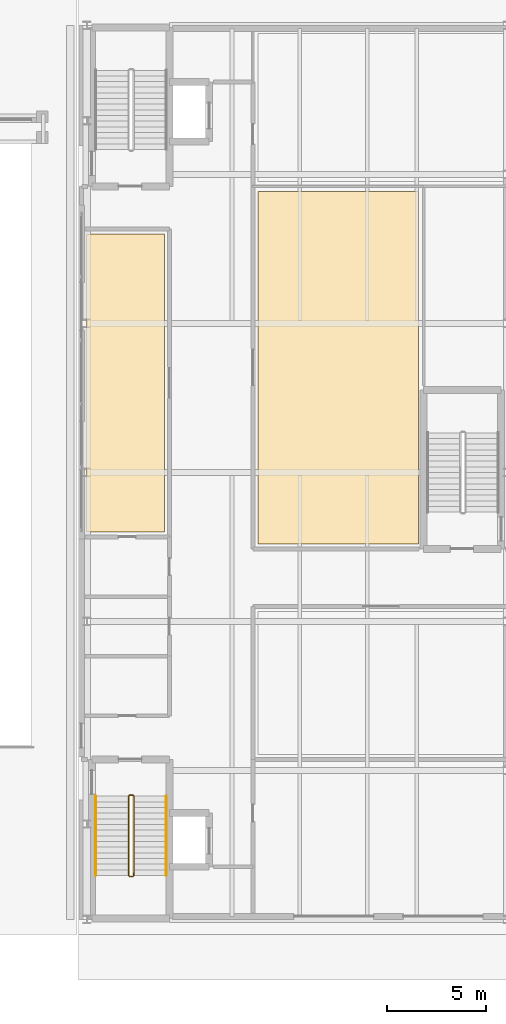
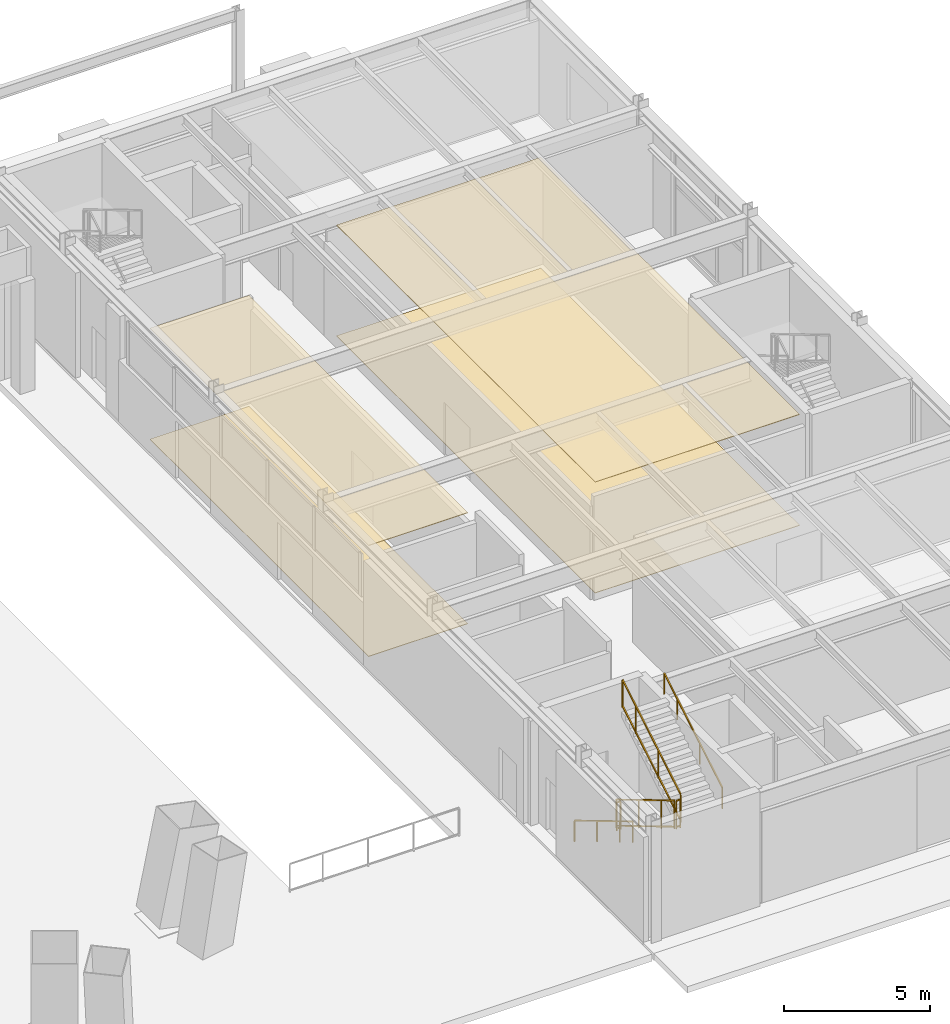
# One storey, part 19 of 21: 6 railings, 4 coverings.
"""IFC4 building model written with IfcOpenShell, lengths in metres."""

from ifc_helpers import new_model, si_unit, direction, frame, origin, origin_2d, place, context, subcontext, project, spatial, polyline, rectangle, outline, extrude, material, layer, layer_set, type_object, element, save


model = new_model("IFC4")

# Units and contexts
model_context = context("Model", 3, precision=1e-05, world=origin(), true_north=direction((0.0, 1.0)))
body_context = subcontext(model_context, "Body", "Model", "MODEL_VIEW")
ifc_project = project(units=[si_unit("LENGTHUNIT", "METRE"), si_unit("AREAUNIT", "SQUARE_METRE"), si_unit("VOLUMEUNIT", "CUBIC_METRE"), si_unit("PLANEANGLEUNIT", "RADIAN"), si_unit("MASSUNIT", "GRAM", prefix="KILO")], contexts=[model_context])

# Site, building, storey
site_placement = place(None, origin())
site = spatial("IfcSite", under=ifc_project, at=site_placement, CompositionType="ELEMENT")
building_placement = place(site_placement, origin())
building = spatial("IfcBuilding", under=site, at=building_placement, Name="Mersakhor Tower and Convention Hall", CompositionType="ELEMENT")
storey_placement = place(building_placement, origin())
storey = spatial("IfcBuildingStorey", under=building, at=storey_placement, Name="L00", CompositionType="ELEMENT", Elevation=0.0)

# Coverings
ifc_material_1 = material(Name="Acoustic mineral-fibre suspended ceiling", Category="other")
ifc_layer_1 = layer(ifc_material_1, 0.02490234375)
ifc_layer_set_1 = layer_set([ifc_layer_1], Name="Acoustic mineral-fibre suspended ceiling")
covering_type_1 = type_object("IfcCoveringType", Name="COV-CLG-25", PredefinedType="CEILING", material=ifc_layer_set_1)
covering_1_placement = place(storey_placement, frame((0.0, 0.0, 4.639892578125)))
element("IfcCovering", 1, at=covering_1_placement, inside=storey, type_object=covering_type_1, Name="L00 Convention Grand Entrance Foyer Acoustic Suspended Ceiling", PredefinedType="CEILING", context=body_context, shape_type="SweptSolid", body=[
    extrude(outline(polyline([(55.47509765625, 37.75), (59.39990234375, 37.75), (59.39990234375, 22.75), (55.47509765625, 22.75), (55.47509765625, 37.75)])), origin(), (0.0, 0.0, 1.0), 0.025146484375),
])
covering_2_placement = place(storey_placement, frame((0.0, 0.0, 4.639892578125)))
element("IfcCovering", 2, at=covering_2_placement, inside=storey, type_object=covering_type_1, Name="L00 Main Column-Free Exhibition Hall Acoustic Suspended Ceiling", PredefinedType="CEILING", context=body_context, shape_type="SweptSolid", body=[
    extrude(outline(polyline([(64.10009765625, 39.89990234375), (72.199951171875, 39.89990234375), (72.199951171875, 22.14990234375), (64.10009765625, 22.14990234375), (64.10009765625, 39.89990234375)])), origin(), (0.0, 0.0, 1.0), 0.025146484375),
])
ifc_material_2 = material(Name="Polished porcelain tile flooring", Category="other")
ifc_layer_2 = layer(ifc_material_2, 0.02001953125)
ifc_layer_set_2 = layer_set([ifc_layer_2], Name="Polished porcelain tile flooring")
covering_type_2 = type_object("IfcCoveringType", Name="COV-FLR-20", PredefinedType="FLOORING", material=ifc_layer_set_2)
covering_3_placement = place(storey_placement, origin())
element("IfcCovering", 3, at=covering_3_placement, inside=storey, type_object=covering_type_2, Name="L00 Convention Grand Entrance Foyer Porcelain Floor Finish", PredefinedType="FLOORING", context=body_context, shape_type="SweptSolid", body=[
    extrude(outline(polyline([(55.47509765625, 37.75), (59.39990234375, 37.75), (59.39990234375, 22.75), (55.47509765625, 22.75), (55.47509765625, 37.75)])), origin(), (0.0, 0.0, 1.0), 0.02001953125),
])
covering_4_placement = place(storey_placement, origin())
element("IfcCovering", 4, at=covering_4_placement, inside=storey, type_object=covering_type_2, Name="L00 Main Column-Free Exhibition Hall Porcelain Floor Finish", PredefinedType="FLOORING", context=body_context, shape_type="SweptSolid", body=[
    extrude(outline(polyline([(64.10009765625, 39.89990234375), (72.199951171875, 39.89990234375), (72.199951171875, 22.14990234375), (64.10009765625, 22.14990234375), (64.10009765625, 39.89990234375)])), origin(), (0.0, 0.0, 1.0), 0.02001953125),
])

# Railings
ifc_material_3 = material(Name="Brushed stainless steel handrail", Category="steel")
railing_type_1 = type_object("IfcRailingType", Name="RL-HR-900", PredefinedType="HANDRAIL", material=ifc_material_3)
railing_1_placement = place(storey_placement, frame((55.949951171875, 9.449951171875, 0.169921875)))
element("IfcRailing", 5, at=railing_1_placement, inside=storey, type_object=railing_type_1, Name="L00 CH-ST1 stair handrail 1", PredefinedType="HANDRAIL", context=body_context, shape_type="SweptSolid", body=[
    extrude(rectangle(XDim=0.048095703125, YDim=0.048095703125, at=origin_2d()), frame((0.0, 0.0, 0.8759765625), z_axis=(0.0, -0.858806931142, 0.512299380267), x_axis=(1.0, 0.0, 0.0)), (0.0, 0.0, 1.0), 4.64599609375),
    extrude(rectangle(XDim=0.0419921875, YDim=0.0419921875, at=origin_2d()), origin(), (0.0, 0.0, 1.0), 0.851806640625),
    extrude(rectangle(XDim=0.0419921875, YDim=0.0419921875, at=origin_2d()), frame((0.0, -1.5458984375, 0.922119140625)), (0.0, 0.0, 1.0), 0.851806640625),
    extrude(rectangle(XDim=0.0419921875, YDim=0.0419921875, at=origin_2d()), frame((0.0, -3.091796875, 1.84423828125)), (0.0, 0.0, 1.0), 0.851806640625),
    extrude(rectangle(XDim=0.0419921875, YDim=0.0419921875, at=origin_2d()), frame((0.0, -3.989990234375, 2.380126953125)), (0.0, 0.0, 1.0), 0.851806640625),
])
railing_2_placement = place(storey_placement, frame((59.5, 5.4599609375, 2.719970703125)))
element("IfcRailing", 6, at=railing_2_placement, inside=storey, type_object=railing_type_1, Name="L00 CH-ST1 stair handrail 2", PredefinedType="HANDRAIL", context=body_context, shape_type="SweptSolid", body=[
    extrude(rectangle(XDim=0.048095703125, YDim=0.048095703125, at=origin_2d()), frame((0.0, 0.0, 0.8759765625), z_axis=(0.0, 0.858806931142, 0.512299380267), x_axis=(-1.0, 0.0, 0.0)), (0.0, 0.0, 1.0), 4.64599609375),
    extrude(rectangle(XDim=0.0419921875, YDim=0.0419921875, at=origin_2d()), origin(), (0.0, 0.0, 1.0), 0.851806640625),
    extrude(rectangle(XDim=0.0419921875, YDim=0.0419921875, at=origin_2d()), frame((0.0, 1.5458984375, 0.922119140625)), (0.0, 0.0, 1.0), 0.851806640625),
    extrude(rectangle(XDim=0.0419921875, YDim=0.0419921875, at=origin_2d()), frame((0.0, 3.091796875, 1.84423828125)), (0.0, 0.0, 1.0), 0.851806640625),
    extrude(rectangle(XDim=0.0419921875, YDim=0.0419921875, at=origin_2d()), frame((0.0, 3.989990234375, 2.380126953125)), (0.0, 0.0, 1.0), 0.851806640625),
])
ifc_material_4 = material(Name="Painted steel stair balustrade S355", Category="steel")
railing_type_2 = type_object("IfcRailingType", Name="RL-STG-1200", PredefinedType="BALUSTRADE", material=ifc_material_4)
railing_3_placement = place(storey_placement, frame((57.60009765625, 9.449951171875, 0.169921875)))
element("IfcRailing", 7, at=railing_3_placement, inside=storey, type_object=railing_type_2, Name="L00 CH-ST1 stair guard 1", PredefinedType="BALUSTRADE", context=body_context, shape_type="SweptSolid", body=[
    extrude(rectangle(XDim=0.048095703125, YDim=0.048095703125, at=origin_2d()), frame((0.0, 0.0, 1.17578125), z_axis=(0.0, -0.858806931142, 0.512299380267), x_axis=(1.0, 0.0, 0.0)), (0.0, 0.0, 1.0), 4.64599609375),
    extrude(rectangle(XDim=0.048095703125, YDim=0.048095703125, at=origin_2d()), frame((0.0, 0.0, 0.080078125), z_axis=(0.0, -0.858806931142, 0.512299380267), x_axis=(1.0, 0.0, 0.0)), (0.0, 0.0, 1.0), 4.64599609375),
    extrude(rectangle(XDim=0.0419921875, YDim=0.0419921875, at=origin_2d()), origin(), (0.0, 0.0, 1.0), 1.15185546875),
    extrude(rectangle(XDim=0.0419921875, YDim=0.0419921875, at=origin_2d()), frame((0.0, -1.5458984375, 0.922119140625)), (0.0, 0.0, 1.0), 1.15185546875),
    extrude(rectangle(XDim=0.0419921875, YDim=0.0419921875, at=origin_2d()), frame((0.0, -3.091796875, 1.84423828125)), (0.0, 0.0, 1.0), 1.15185546875),
    extrude(rectangle(XDim=0.0419921875, YDim=0.0419921875, at=origin_2d()), frame((0.0, -3.989990234375, 2.380126953125)), (0.0, 0.0, 1.0), 1.15185546875),
])
railing_4_placement = place(storey_placement, frame((57.64990234375, 5.409912109375, 2.550048828125)))
element("IfcRailing", 8, at=railing_4_placement, inside=storey, type_object=railing_type_2, Name="L00 CH-ST1 stair guard 2", PredefinedType="BALUSTRADE", context=body_context, shape_type="SweptSolid", body=[
    extrude(rectangle(XDim=0.048095703125, YDim=0.048095703125, at=origin_2d()), frame((0.0, 0.0, 1.17578125), z_axis=(1.0, 0.0, 0.0), x_axis=(0.0, 1.0, 0.0)), (0.0, 0.0, 1.0), 0.150146484375),
    extrude(rectangle(XDim=0.048095703125, YDim=0.048095703125, at=origin_2d()), frame((0.0, 0.0, 0.080078125), z_axis=(1.0, 0.0, 0.0), x_axis=(0.0, 1.0, 0.0)), (0.0, 0.0, 1.0), 0.150146484375),
    extrude(rectangle(XDim=0.0419921875, YDim=0.0419921875, at=origin_2d()), origin(), (0.0, 0.0, 1.0), 1.15185546875),
    extrude(rectangle(XDim=0.0419921875, YDim=0.0419921875, at=origin_2d()), frame((0.150146484375, 0.0, 0.0)), (0.0, 0.0, 1.0), 1.15185546875),
])
railing_5_placement = place(storey_placement, frame((57.85009765625, 5.4599609375, 2.719970703125)))
element("IfcRailing", 9, at=railing_5_placement, inside=storey, type_object=railing_type_2, Name="L00 CH-ST1 stair guard 3", PredefinedType="BALUSTRADE", context=body_context, shape_type="SweptSolid", body=[
    extrude(rectangle(XDim=0.048095703125, YDim=0.048095703125, at=origin_2d()), frame((0.0, 0.0, 1.17578125), z_axis=(0.0, 0.858806931142, 0.512299380267), x_axis=(-1.0, 0.0, 0.0)), (0.0, 0.0, 1.0), 4.64599609375),
    extrude(rectangle(XDim=0.048095703125, YDim=0.048095703125, at=origin_2d()), frame((0.0, 0.0, 0.080078125), z_axis=(0.0, 0.858806931142, 0.512299380267), x_axis=(-1.0, 0.0, 0.0)), (0.0, 0.0, 1.0), 4.64599609375),
    extrude(rectangle(XDim=0.0419921875, YDim=0.0419921875, at=origin_2d()), origin(), (0.0, 0.0, 1.0), 1.15185546875),
    extrude(rectangle(XDim=0.0419921875, YDim=0.0419921875, at=origin_2d()), frame((0.0, 1.5458984375, 0.922119140625)), (0.0, 0.0, 1.0), 1.15185546875),
    extrude(rectangle(XDim=0.0419921875, YDim=0.0419921875, at=origin_2d()), frame((0.0, 3.091796875, 1.84423828125)), (0.0, 0.0, 1.0), 1.15185546875),
    extrude(rectangle(XDim=0.0419921875, YDim=0.0419921875, at=origin_2d()), frame((0.0, 3.989990234375, 2.380126953125)), (0.0, 0.0, 1.0), 1.15185546875),
])
railing_6_placement = place(storey_placement, frame((57.64990234375, 9.5, 0.0)))
element("IfcRailing", 10, at=railing_6_placement, inside=storey, type_object=railing_type_2, Name="L00 CH-ST1 stair guard 4", PredefinedType="BALUSTRADE", context=body_context, shape_type="SweptSolid", body=[
    extrude(rectangle(XDim=0.048095703125, YDim=0.048095703125, at=origin_2d()), frame((0.0, 0.0, 1.17578125), z_axis=(1.0, 0.0, 0.0), x_axis=(0.0, 1.0, 0.0)), (0.0, 0.0, 1.0), 0.150146484375),
    extrude(rectangle(XDim=0.048095703125, YDim=0.048095703125, at=origin_2d()), frame((0.0, 0.0, 0.080078125), z_axis=(1.0, 0.0, 0.0), x_axis=(0.0, 1.0, 0.0)), (0.0, 0.0, 1.0), 0.150146484375),
    extrude(rectangle(XDim=0.0419921875, YDim=0.0419921875, at=origin_2d()), origin(), (0.0, 0.0, 1.0), 1.15185546875),
    extrude(rectangle(XDim=0.0419921875, YDim=0.0419921875, at=origin_2d()), frame((0.150146484375, 0.0, 0.0)), (0.0, 0.0, 1.0), 1.15185546875),
])

save(model, "model.ifc")
